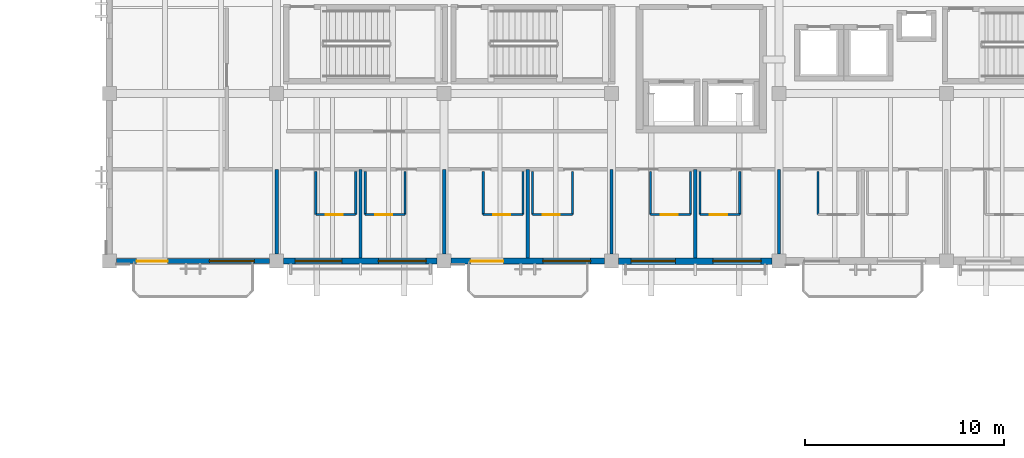
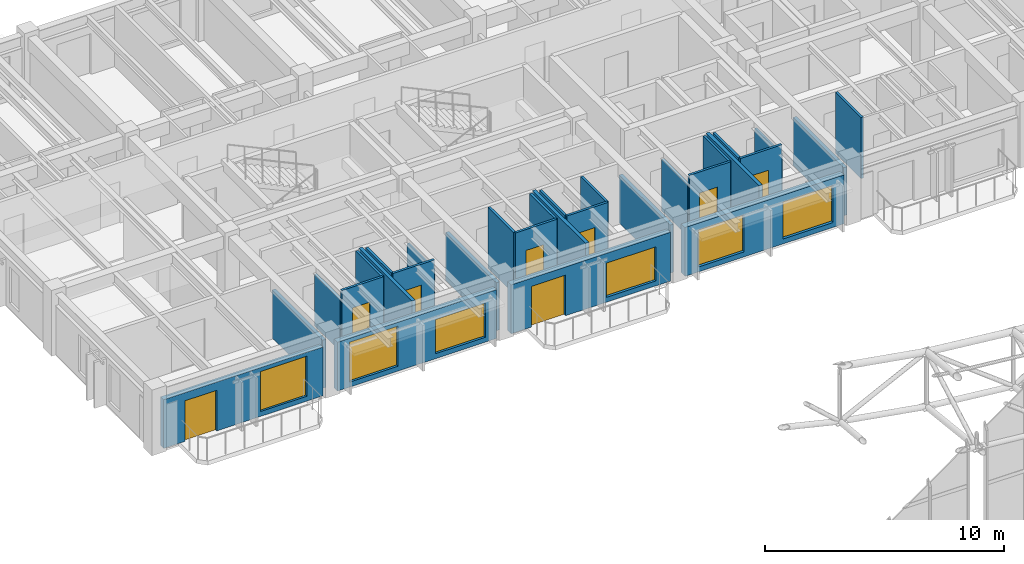
# One storey, part 77 of 93: 30 walls, 8 doors, 6 windows, 14 openings.
"""IFC4 building model written with IfcOpenShell, lengths in metres."""

from ifc_helpers import new_model, si_unit, direction, frame, frame_2d, origin, place, context, subcontext, project, spatial, rectangle, extrude, material, layer, layer_set, type_object, element, fill, save


model = new_model("IFC4")

# Units and contexts
model_context = context("Model", 3, precision=1e-05, world=origin(), true_north=direction((0.0, 1.0)))
body_context = subcontext(model_context, "Body", "Model", "MODEL_VIEW")
ifc_project = project(units=[si_unit("LENGTHUNIT", "METRE"), si_unit("AREAUNIT", "SQUARE_METRE"), si_unit("VOLUMEUNIT", "CUBIC_METRE"), si_unit("PLANEANGLEUNIT", "RADIAN"), si_unit("MASSUNIT", "GRAM", prefix="KILO")], contexts=[model_context])

# Site, building, storey
site_placement = place(None, origin())
site = spatial("IfcSite", under=ifc_project, at=site_placement, CompositionType="ELEMENT")
building_placement = place(site_placement, origin())
building = spatial("IfcBuilding", under=site, at=building_placement, Name="Cumbredor Promenade Congress Hotel", CompositionType="ELEMENT")
storey_placement = place(building_placement, frame((0.0, 0.0, 21.840087890625)))
storey = spatial("IfcBuildingStorey", under=building, at=storey_placement, Name="L06", CompositionType="ELEMENT", Elevation=21.840087890625)

# Wall, opening, door
ifc_material_1 = material(Name="Moisture-resistant gypsum board on steel studs", Category="steel")
ifc_layer_1 = layer(ifc_material_1, 0.114990234375, Name="Moisture-resistant gypsum board on steel studs", Category="steel")
ifc_layer_set_1 = layer_set([ifc_layer_1], Name="Moisture-resistant gypsum board on steel studs")
wall_type_1 = type_object("IfcWallType", Name="WL-BATH-115", PredefinedType="PARTITIONING", material=ifc_layer_set_1)
wall_1_placement = place(storey_placement, frame((10.360107421875, 94.72998046875, 0.0), z_axis=(0.0, 0.0, 1.0), x_axis=(1.0, 0.0, 0.0)))
wall_1 = element("IfcWall", 1, at=wall_1_placement, inside=storey, type_object=wall_type_1, Name="L06 Interior Partition W-L06-BH-0673", PredefinedType="PARTITIONING", context=body_context, shape_type="SweptSolid", body=[
    extrude(rectangle(XDim=2.0, YDim=0.114990234375, at=frame_2d((1.0, 0.0))), origin(), (0.0, 0.0, 1.0), 3.119873046875),
])
opening_1_placement = place(wall_1_placement, frame((0.5, 0.0, 0.0)))
opening_1 = element("IfcOpeningElement", 2, at=opening_1_placement, cuts=wall_1, Name="Opening ID-01", PredefinedType="OPENING", context=body_context, shape_type="SweptSolid", body=[
    extrude(rectangle(XDim=0.860107421875, YDim=2.050048828125, at=frame_2d((0.43017578125, 1.02490234375))), frame((0.0, 0.0673828125, 0.0), z_axis=(0.0, -1.0, 0.0), x_axis=(1.0, 0.0, 0.0)), (0.0, 0.0, 1.0), 0.135009765625),
])
ifc_material_2 = material(Name="Kiln-dried tropical hardwood", Category="wood")
door_type_1 = type_object("IfcDoorType", Name="DR-BATH-860", OperationType="NOTDEFINED", PredefinedType="DOOR", material=ifc_material_2)
door_1_placement = place(opening_1_placement, origin())
door_1 = element("IfcDoor", 3, at=door_1_placement, inside=storey, type_object=door_type_1, Name="L06 Interior Door W-L06-BH-0673-01", OperationType="SINGLE_SWING_RIGHT", OverallHeight=2.050048828125, OverallWidth=0.860107421875, PredefinedType="DOOR", context=body_context, shape_type="SweptSolid", body=[
    extrude(rectangle(XDim=0.860107421875, YDim=2.050048828125, at=frame_2d((0.43017578125, 1.02490234375))), frame((0.0, 0.02490234375, 0.0), z_axis=(0.0, -1.0, 0.0), x_axis=(1.0, 0.0, 0.0)), (0.0, 0.0, 1.0), 0.050048828125),
])
fill(opening_1, door_1)

# Walls
wall_2_placement = place(storey_placement, frame((10.360107421875, 94.72998046875, 0.0), z_axis=(0.0, 0.0, 1.0), x_axis=(0.0, 1.0, 0.0)))
element("IfcWall", 4, at=wall_2_placement, inside=storey, type_object=wall_type_1, Name="L06 Interior Partition W-L06-BV1-0673", PredefinedType="PARTITIONING", context=body_context, shape_type="SweptSolid", body=[
    extrude(rectangle(XDim=2.14990234375, YDim=0.114990234375, at=frame_2d((1.074951171875, 0.0))), origin(), (0.0, 0.0, 1.0), 2.641845703125),
])
wall_3_placement = place(storey_placement, frame((12.360107421875, 94.72998046875, 0.0), z_axis=(0.0, 0.0, 1.0), x_axis=(0.0, 1.0, 0.0)))
element("IfcWall", 5, at=wall_3_placement, inside=storey, type_object=wall_type_1, Name="L06 Interior Partition W-L06-BV2-0673", PredefinedType="PARTITIONING", context=body_context, shape_type="SweptSolid", body=[
    extrude(rectangle(XDim=2.14990234375, YDim=0.114990234375, at=frame_2d((1.074951171875, 0.0))), origin(), (0.0, 0.0, 1.0), 3.119873046875),
])

# Wall, opening, door
wall_4_placement = place(storey_placement, frame((12.840087890625, 94.72998046875, 0.0), z_axis=(0.0, 0.0, 1.0), x_axis=(1.0, 0.0, 0.0)))
wall_4 = element("IfcWall", 6, at=wall_4_placement, inside=storey, type_object=wall_type_1, Name="L06 Interior Partition W-L06-BH-0674", PredefinedType="PARTITIONING", context=body_context, shape_type="SweptSolid", body=[
    extrude(rectangle(XDim=2.0, YDim=0.114990234375, at=frame_2d((1.0, 0.0))), origin(), (0.0, 0.0, 1.0), 3.119873046875),
])
opening_2_placement = place(wall_4_placement, frame((0.5, 0.0, 0.0)))
opening_2 = element("IfcOpeningElement", 7, at=opening_2_placement, cuts=wall_4, Name="Opening ID-01", PredefinedType="OPENING", context=body_context, shape_type="SweptSolid", body=[
    extrude(rectangle(XDim=0.860107421875, YDim=2.050048828125, at=frame_2d((0.43017578125, 1.02490234375))), frame((0.0, 0.0673828125, 0.0), z_axis=(0.0, -1.0, 0.0), x_axis=(1.0, 0.0, 0.0)), (0.0, 0.0, 1.0), 0.135009765625),
])
door_2_placement = place(opening_2_placement, origin())
door_2 = element("IfcDoor", 8, at=door_2_placement, inside=storey, type_object=door_type_1, Name="L06 Interior Door W-L06-BH-0674-01", OperationType="SINGLE_SWING_LEFT", OverallHeight=2.050048828125, OverallWidth=0.860107421875, PredefinedType="DOOR", context=body_context, shape_type="SweptSolid", body=[
    extrude(rectangle(XDim=0.860107421875, YDim=2.050048828125, at=frame_2d((0.43017578125, 1.02490234375))), frame((0.0, 0.02490234375, 0.0), z_axis=(0.0, -1.0, 0.0), x_axis=(1.0, 0.0, 0.0)), (0.0, 0.0, 1.0), 0.050048828125),
])
fill(opening_2, door_2)

# Walls
wall_5_placement = place(storey_placement, frame((12.840087890625, 94.72998046875, 0.0), z_axis=(0.0, 0.0, 1.0), x_axis=(0.0, 1.0, 0.0)))
element("IfcWall", 9, at=wall_5_placement, inside=storey, type_object=wall_type_1, Name="L06 Interior Partition W-L06-BV1-0674", PredefinedType="PARTITIONING", context=body_context, shape_type="SweptSolid", body=[
    extrude(rectangle(XDim=2.14990234375, YDim=0.114990234375, at=frame_2d((1.074951171875, 0.0))), origin(), (0.0, 0.0, 1.0), 3.119873046875),
])
wall_6_placement = place(storey_placement, frame((14.840087890625, 94.72998046875, 0.0), z_axis=(0.0, 0.0, 1.0), x_axis=(0.0, 1.0, 0.0)))
element("IfcWall", 10, at=wall_6_placement, inside=storey, type_object=wall_type_1, Name="L06 Interior Partition W-L06-BV2-0674", PredefinedType="PARTITIONING", context=body_context, shape_type="SweptSolid", body=[
    extrude(rectangle(XDim=2.14990234375, YDim=0.114990234375, at=frame_2d((1.074951171875, 0.0))), origin(), (0.0, 0.0, 1.0), 2.641845703125),
])

# Wall, opening, door
wall_7_placement = place(storey_placement, frame((18.760009765625, 94.72998046875, 0.0), z_axis=(0.0, 0.0, 1.0), x_axis=(1.0, 0.0, 0.0)))
wall_7 = element("IfcWall", 11, at=wall_7_placement, inside=storey, type_object=wall_type_1, Name="L06 Interior Partition W-L06-BH-0675", PredefinedType="PARTITIONING", context=body_context, shape_type="SweptSolid", body=[
    extrude(rectangle(XDim=2.0, YDim=0.114990234375, at=frame_2d((1.0, 0.0))), origin(), (0.0, 0.0, 1.0), 3.119873046875),
])
opening_3_placement = place(wall_7_placement, frame((0.5, 0.0, 0.0)))
opening_3 = element("IfcOpeningElement", 12, at=opening_3_placement, cuts=wall_7, Name="Opening ID-01", PredefinedType="OPENING", context=body_context, shape_type="SweptSolid", body=[
    extrude(rectangle(XDim=0.860107421875, YDim=2.050048828125, at=frame_2d((0.43017578125, 1.02490234375))), frame((0.0, 0.0673828125, 0.0), z_axis=(0.0, -1.0, 0.0), x_axis=(1.0, 0.0, 0.0)), (0.0, 0.0, 1.0), 0.135009765625),
])
door_3_placement = place(opening_3_placement, origin())
door_3 = element("IfcDoor", 13, at=door_3_placement, inside=storey, type_object=door_type_1, Name="L06 Interior Door W-L06-BH-0675-01", OperationType="SINGLE_SWING_RIGHT", OverallHeight=2.050048828125, OverallWidth=0.860107421875, PredefinedType="DOOR", context=body_context, shape_type="SweptSolid", body=[
    extrude(rectangle(XDim=0.860107421875, YDim=2.050048828125, at=frame_2d((0.43017578125, 1.02490234375))), frame((0.0, 0.02490234375, 0.0), z_axis=(0.0, -1.0, 0.0), x_axis=(1.0, 0.0, 0.0)), (0.0, 0.0, 1.0), 0.050048828125),
])
fill(opening_3, door_3)

# Walls
for number, where, z_axis, x_axis, name in (
    (14, (18.760009765625, 94.72998046875, 0.0), (0.0, 0.0, 1.0), (0.0, 1.0, 0.0), "L06 Interior Partition W-L06-BV1-0675"),
    (15, (20.760009765625, 94.72998046875, 0.0), (0.0, 0.0, 1.0), (0.0, 1.0, 0.0), "L06 Interior Partition W-L06-BV2-0675"),
):
    element("IfcWall", number, at=place(storey_placement, frame(where, z_axis=z_axis, x_axis=x_axis)), inside=storey, type_object=wall_type_1, Name=name, PredefinedType="PARTITIONING", context=body_context, shape_type="SweptSolid", body=[
        extrude(rectangle(XDim=2.14990234375, YDim=0.114990234375, at=frame_2d((1.074951171875, 0.0))), origin(), (0.0, 0.0, 1.0), 3.119873046875),
    ])

# Wall, opening, door
wall_8_placement = place(storey_placement, frame((21.239990234375, 94.72998046875, 0.0), z_axis=(0.0, 0.0, 1.0), x_axis=(1.0, 0.0, 0.0)))
wall_8 = element("IfcWall", 16, at=wall_8_placement, inside=storey, type_object=wall_type_1, Name="L06 Interior Partition W-L06-BH-0676", PredefinedType="PARTITIONING", context=body_context, shape_type="SweptSolid", body=[
    extrude(rectangle(XDim=2.0, YDim=0.114990234375, at=frame_2d((1.0, 0.0))), origin(), (0.0, 0.0, 1.0), 3.119873046875),
])
opening_4_placement = place(wall_8_placement, frame((0.5, 0.0, 0.0)))
opening_4 = element("IfcOpeningElement", 17, at=opening_4_placement, cuts=wall_8, Name="Opening ID-01", PredefinedType="OPENING", context=body_context, shape_type="SweptSolid", body=[
    extrude(rectangle(XDim=0.860107421875, YDim=2.050048828125, at=frame_2d((0.43017578125, 1.02490234375))), frame((0.0, 0.0673828125, 0.0), z_axis=(0.0, -1.0, 0.0), x_axis=(1.0, 0.0, 0.0)), (0.0, 0.0, 1.0), 0.135009765625),
])
door_4_placement = place(opening_4_placement, origin())
door_4 = element("IfcDoor", 18, at=door_4_placement, inside=storey, type_object=door_type_1, Name="L06 Interior Door W-L06-BH-0676-01", OperationType="SINGLE_SWING_LEFT", OverallHeight=2.050048828125, OverallWidth=0.860107421875, PredefinedType="DOOR", context=body_context, shape_type="SweptSolid", body=[
    extrude(rectangle(XDim=0.860107421875, YDim=2.050048828125, at=frame_2d((0.43017578125, 1.02490234375))), frame((0.0, 0.02490234375, 0.0), z_axis=(0.0, -1.0, 0.0), x_axis=(1.0, 0.0, 0.0)), (0.0, 0.0, 1.0), 0.050048828125),
])
fill(opening_4, door_4)

# Walls
for number, where, z_axis, x_axis, name in (
    (19, (21.239990234375, 94.72998046875, 0.0), (0.0, 0.0, 1.0), (0.0, 1.0, 0.0), "L06 Interior Partition W-L06-BV1-0676"),
    (20, (23.239990234375, 94.72998046875, 0.0), (0.0, 0.0, 1.0), (0.0, 1.0, 0.0), "L06 Interior Partition W-L06-BV2-0676"),
):
    element("IfcWall", number, at=place(storey_placement, frame(where, z_axis=z_axis, x_axis=x_axis)), inside=storey, type_object=wall_type_1, Name=name, PredefinedType="PARTITIONING", context=body_context, shape_type="SweptSolid", body=[
        extrude(rectangle(XDim=2.14990234375, YDim=0.114990234375, at=frame_2d((1.074951171875, 0.0))), origin(), (0.0, 0.0, 1.0), 3.119873046875),
    ])

# Wall, opening, door
wall_9_placement = place(storey_placement, frame((27.159912109375, 94.72998046875, 0.0), z_axis=(0.0, 0.0, 1.0), x_axis=(1.0, 0.0, 0.0)))
wall_9 = element("IfcWall", 21, at=wall_9_placement, inside=storey, type_object=wall_type_1, Name="L06 Interior Partition W-L06-BH-0677", PredefinedType="PARTITIONING", context=body_context, shape_type="SweptSolid", body=[
    extrude(rectangle(XDim=2.0, YDim=0.114990234375, at=frame_2d((1.0, 0.0))), origin(), (0.0, 0.0, 1.0), 3.119873046875),
])
opening_5_placement = place(wall_9_placement, frame((0.5, 0.0, 0.0)))
opening_5 = element("IfcOpeningElement", 22, at=opening_5_placement, cuts=wall_9, Name="Opening ID-01", PredefinedType="OPENING", context=body_context, shape_type="SweptSolid", body=[
    extrude(rectangle(XDim=0.860107421875, YDim=2.050048828125, at=frame_2d((0.43017578125, 1.02490234375))), frame((0.0, 0.0673828125, 0.0), z_axis=(0.0, -1.0, 0.0), x_axis=(1.0, 0.0, 0.0)), (0.0, 0.0, 1.0), 0.135009765625),
])
door_5_placement = place(opening_5_placement, origin())
door_5 = element("IfcDoor", 23, at=door_5_placement, inside=storey, type_object=door_type_1, Name="L06 Interior Door W-L06-BH-0677-01", OperationType="SINGLE_SWING_RIGHT", OverallHeight=2.050048828125, OverallWidth=0.860107421875, PredefinedType="DOOR", context=body_context, shape_type="SweptSolid", body=[
    extrude(rectangle(XDim=0.860107421875, YDim=2.050048828125, at=frame_2d((0.43017578125, 1.02490234375))), frame((0.0, 0.02490234375, 0.0), z_axis=(0.0, -1.0, 0.0), x_axis=(1.0, 0.0, 0.0)), (0.0, 0.0, 1.0), 0.050048828125),
])
fill(opening_5, door_5)

# Walls
wall_10_placement = place(storey_placement, frame((27.159912109375, 94.72998046875, 0.0), z_axis=(0.0, 0.0, 1.0), x_axis=(0.0, 1.0, 0.0)))
element("IfcWall", 24, at=wall_10_placement, inside=storey, type_object=wall_type_1, Name="L06 Interior Partition W-L06-BV1-0677", PredefinedType="PARTITIONING", context=body_context, shape_type="SweptSolid", body=[
    extrude(rectangle(XDim=2.14990234375, YDim=0.114990234375, at=frame_2d((1.074951171875, 0.0))), origin(), (0.0, 0.0, 1.0), 2.641845703125),
])
wall_11_placement = place(storey_placement, frame((29.159912109375, 94.72998046875, 0.0), z_axis=(0.0, 0.0, 1.0), x_axis=(0.0, 1.0, 0.0)))
element("IfcWall", 25, at=wall_11_placement, inside=storey, type_object=wall_type_1, Name="L06 Interior Partition W-L06-BV2-0677", PredefinedType="PARTITIONING", context=body_context, shape_type="SweptSolid", body=[
    extrude(rectangle(XDim=2.14990234375, YDim=0.114990234375, at=frame_2d((1.074951171875, 0.0))), origin(), (0.0, 0.0, 1.0), 3.119873046875),
])

# Wall, opening, door
wall_12_placement = place(storey_placement, frame((29.639892578125, 94.72998046875, 0.0), z_axis=(0.0, 0.0, 1.0), x_axis=(1.0, 0.0, 0.0)))
wall_12 = element("IfcWall", 26, at=wall_12_placement, inside=storey, type_object=wall_type_1, Name="L06 Interior Partition W-L06-BH-0678", PredefinedType="PARTITIONING", context=body_context, shape_type="SweptSolid", body=[
    extrude(rectangle(XDim=2.0, YDim=0.114990234375, at=frame_2d((1.0, 0.0))), origin(), (0.0, 0.0, 1.0), 3.119873046875),
])
opening_6_placement = place(wall_12_placement, frame((0.5, 0.0, 0.0)))
opening_6 = element("IfcOpeningElement", 27, at=opening_6_placement, cuts=wall_12, Name="Opening ID-01", PredefinedType="OPENING", context=body_context, shape_type="SweptSolid", body=[
    extrude(rectangle(XDim=0.860107421875, YDim=2.050048828125, at=frame_2d((0.43017578125, 1.02490234375))), frame((0.0, 0.0673828125, 0.0), z_axis=(0.0, -1.0, 0.0), x_axis=(1.0, 0.0, 0.0)), (0.0, 0.0, 1.0), 0.135009765625),
])
door_6_placement = place(opening_6_placement, origin())
door_6 = element("IfcDoor", 28, at=door_6_placement, inside=storey, type_object=door_type_1, Name="L06 Interior Door W-L06-BH-0678-01", OperationType="SINGLE_SWING_LEFT", OverallHeight=2.050048828125, OverallWidth=0.860107421875, PredefinedType="DOOR", context=body_context, shape_type="SweptSolid", body=[
    extrude(rectangle(XDim=0.860107421875, YDim=2.050048828125, at=frame_2d((0.43017578125, 1.02490234375))), frame((0.0, 0.02490234375, 0.0), z_axis=(0.0, -1.0, 0.0), x_axis=(1.0, 0.0, 0.0)), (0.0, 0.0, 1.0), 0.050048828125),
])
fill(opening_6, door_6)

# Walls
wall_13_placement = place(storey_placement, frame((29.639892578125, 94.72998046875, 0.0), z_axis=(0.0, 0.0, 1.0), x_axis=(0.0, 1.0, 0.0)))
element("IfcWall", 29, at=wall_13_placement, inside=storey, type_object=wall_type_1, Name="L06 Interior Partition W-L06-BV1-0678", PredefinedType="PARTITIONING", context=body_context, shape_type="SweptSolid", body=[
    extrude(rectangle(XDim=2.14990234375, YDim=0.114990234375, at=frame_2d((1.074951171875, 0.0))), origin(), (0.0, 0.0, 1.0), 3.119873046875),
])
wall_14_placement = place(storey_placement, frame((31.639892578125, 94.72998046875, 0.0), z_axis=(0.0, 0.0, 1.0), x_axis=(0.0, 1.0, 0.0)))
element("IfcWall", 30, at=wall_14_placement, inside=storey, type_object=wall_type_1, Name="L06 Interior Partition W-L06-BV2-0678", PredefinedType="PARTITIONING", context=body_context, shape_type="SweptSolid", body=[
    extrude(rectangle(XDim=2.14990234375, YDim=0.114990234375, at=frame_2d((1.074951171875, 0.0))), origin(), (0.0, 0.0, 1.0), 2.641845703125),
])
wall_15_placement = place(storey_placement, frame((35.56005859375, 94.72998046875, 0.0), z_axis=(0.0, 0.0, 1.0), x_axis=(0.0, 1.0, 0.0)))
element("IfcWall", 31, at=wall_15_placement, inside=storey, type_object=wall_type_1, Name="L06 Interior Partition W-L06-BV1-0679", PredefinedType="PARTITIONING", context=body_context, shape_type="SweptSolid", body=[
    extrude(rectangle(XDim=2.14990234375, YDim=0.114990234375, at=frame_2d((1.074951171875, 0.0))), origin(), (0.0, 0.0, 1.0), 3.119873046875),
])

# Wall, openings, door, window
ifc_material_3 = material(Name="Concrete C40/50", Category="concrete")
ifc_layer_2 = layer(ifc_material_3, 0.260009765625, Name="Concrete C40/50", Category="concrete")
ifc_layer_set_2 = layer_set([ifc_layer_2], Name="Concrete C40/50")
wall_type_2 = type_object("IfcWallType", Name="WL-EXT-260", PredefinedType="SOLIDWALL", material=ifc_layer_set_2)
wall_16_placement = place(storey_placement, frame((0.35107421875, 92.39990234375, 0.0), z_axis=(0.0, 0.0, 1.0), x_axis=(1.0, 0.0, 0.0)))
wall_16 = element("IfcWall", 32, at=wall_16_placement, inside=storey, type_object=wall_type_2, Name="L06 Stepped Congress Hotel Wing South Envelope Wall 1", PredefinedType="SOLIDWALL", context=body_context, shape_type="SweptSolid", body=[
    extrude(rectangle(XDim=7.697998046875, YDim=0.260009765625, at=frame_2d((3.84912109375, 0.0))), origin(), (0.0, 0.0, 1.0), 2.493896484375),
])
opening_7_placement = place(wall_16_placement, frame((1.02392578125, 0.0, 0.0)))
opening_7 = element("IfcOpeningElement", 33, at=opening_7_placement, cuts=wall_16, Name="Opening TD-01", PredefinedType="OPENING", context=body_context, shape_type="SweptSolid", body=[
    extrude(rectangle(XDim=1.550048828125, YDim=2.080078125, at=frame_2d((0.77490234375, 1.0400390625))), frame((0.0, 0.14013671875, 0.0), z_axis=(0.0, -1.0, 0.0), x_axis=(1.0, 0.0, 0.0)), (0.0, 0.0, 1.0), 0.280029296875),
])
opening_8_placement = place(wall_16_placement, frame((4.674072265625, 0.0, 0.25)))
opening_8 = element("IfcOpeningElement", 34, at=opening_8_placement, cuts=wall_16, Name="Opening WN-13", PredefinedType="OPENING", context=body_context, shape_type="SweptSolid", body=[
    extrude(rectangle(XDim=2.25, YDim=2.050048828125, at=frame_2d((1.125, 1.02490234375))), frame((0.0, 0.14013671875, 0.0), z_axis=(0.0, -1.0, 0.0), x_axis=(1.0, 0.0, 0.0)), (0.0, 0.0, 1.0), 0.280029296875),
])
ifc_material_4 = material(Name="Thermally broken anodized aluminium and laminated safety glass", Category="aluminium")
door_type_2 = type_object("IfcDoorType", Name="EXT-DR-TER-1550x2080", OperationType="DOUBLE_DOOR_SINGLE_SWING", PredefinedType="DOOR", material=ifc_material_4)
door_7_placement = place(opening_7_placement, frame((1.550048828125, 0.0, 0.0), z_axis=(0.0, 0.0, 1.0), x_axis=(-1.0, 0.0, 0.0)))
door_7 = element("IfcDoor", 35, at=door_7_placement, inside=storey, type_object=door_type_2, Name="L06 Guestroom Veranda Balcony Door 066", OperationType="DOUBLE_DOOR_SINGLE_SWING", OverallHeight=2.080078125, OverallWidth=1.550048828125, PredefinedType="DOOR", context=body_context, shape_type="SweptSolid", body=[
    extrude(rectangle(XDim=1.550048828125, YDim=2.080078125, at=frame_2d((0.77490234375, 1.0400390625))), frame((0.0, 0.02490234375, 0.0), z_axis=(0.0, -1.0, 0.0), x_axis=(1.0, 0.0, 0.0)), (0.0, 0.0, 1.0), 0.050048828125),
])
fill(opening_7, door_7)
ifc_material_5 = material(Name="Thermally broken anodized aluminium and low-E glass", Category="aluminium")
window_type_1 = type_object("IfcWindowType", Name="Hospitality Floor-to-Ceiling Window WN-13 2250x2050", PartitioningType="DOUBLE_PANEL_VERTICAL", PredefinedType="WINDOW", material=ifc_material_5)
window_1_placement = place(opening_8_placement, origin())
window_1 = element("IfcWindow", 36, at=window_1_placement, inside=storey, type_object=window_type_1, Name="L06 Veranda Companion Floor-to-Ceiling Window 0583", OverallHeight=2.050048828125, OverallWidth=2.25, PartitioningType="DOUBLE_PANEL_VERTICAL", PredefinedType="WINDOW", context=body_context, shape_type="SweptSolid", body=[
    extrude(rectangle(XDim=2.25, YDim=2.050048828125, at=frame_2d((1.125, 1.02490234375))), frame((0.0, 0.030029296875, 0.0), z_axis=(0.0, -1.0, 0.0), x_axis=(1.0, 0.0, 0.0)), (0.0, 0.0, 1.0), 0.06005859375),
])
fill(opening_8, window_1)

# Wall, openings, windows
ifc_layer_3 = layer(ifc_material_3, 0.280029296875, Name="Concrete C40/50", Category="concrete")
ifc_layer_set_3 = layer_set([ifc_layer_3], Name="Concrete C40/50")
wall_type_3 = type_object("IfcWallType", Name="WL-EXT-280", PredefinedType="SOLIDWALL", material=ifc_layer_set_3)
wall_17_placement = place(storey_placement, frame((8.7509765625, 92.39990234375, 0.0), z_axis=(0.0, 0.0, 1.0), x_axis=(1.0, 0.0, 0.0)))
wall_17 = element("IfcWall", 37, at=wall_17_placement, inside=storey, type_object=wall_type_3, Name="L06 Stepped Congress Hotel Wing South Envelope Wall 2", PredefinedType="SOLIDWALL", context=body_context, shape_type="SweptSolid", body=[
    extrude(rectangle(XDim=7.697998046875, YDim=0.280029296875, at=frame_2d((3.84912109375, 0.0))), origin(), (0.0, 0.0, 1.0), 2.493896484375),
])
opening_9_placement = place(wall_17_placement, frame((0.573974609375, 0.0, 0.25)))
opening_9 = element("IfcOpeningElement", 38, at=opening_9_placement, cuts=wall_17, Name="Opening WN-14", PredefinedType="OPENING", context=body_context, shape_type="SweptSolid", body=[
    extrude(rectangle(XDim=2.35009765625, YDim=2.050048828125, at=frame_2d((1.175048828125, 1.02490234375))), frame((0.0, 0.14990234375, 0.0), z_axis=(0.0, -1.0, 0.0), x_axis=(1.0, 0.0, 0.0)), (0.0, 0.0, 1.0), 0.300048828125),
])
opening_10_placement = place(wall_17_placement, frame((4.7490234375, 0.0, 0.25)))
opening_10 = element("IfcOpeningElement", 39, at=opening_10_placement, cuts=wall_17, Name="Opening WN-26", PredefinedType="OPENING", context=body_context, shape_type="SweptSolid", body=[
    extrude(rectangle(XDim=2.39990234375, YDim=1.75, at=frame_2d((1.199951171875, 0.875))), frame((0.0, 0.14990234375, 0.0), z_axis=(0.0, -1.0, 0.0), x_axis=(1.0, 0.0, 0.0)), (0.0, 0.0, 1.0), 0.300048828125),
])
window_type_2 = type_object("IfcWindowType", Name="Hospitality Floor-to-Ceiling Window WN-14 2350x2050", PartitioningType="DOUBLE_PANEL_VERTICAL", PredefinedType="WINDOW", material=ifc_material_5)
window_2_placement = place(opening_9_placement, origin())
window_2 = element("IfcWindow", 40, at=window_2_placement, inside=storey, type_object=window_type_2, Name="L06 Wide Hospitality Window 0584", OverallHeight=2.050048828125, OverallWidth=2.35009765625, PartitioningType="DOUBLE_PANEL_VERTICAL", PredefinedType="WINDOW", context=body_context, shape_type="SweptSolid", body=[
    extrude(rectangle(XDim=2.35009765625, YDim=2.050048828125, at=frame_2d((1.175048828125, 1.02490234375))), frame((0.0, 0.030029296875, 0.0), z_axis=(0.0, -1.0, 0.0), x_axis=(1.0, 0.0, 0.0)), (0.0, 0.0, 1.0), 0.06005859375),
])
fill(opening_9, window_2)
window_type_3 = type_object("IfcWindowType", Name="Hospitality Floor-to-Ceiling Window WN-26 2400x1750", PartitioningType="DOUBLE_PANEL_VERTICAL", PredefinedType="WINDOW", material=ifc_material_5)
window_3_placement = place(opening_10_placement, origin())
window_3 = element("IfcWindow", 41, at=window_3_placement, inside=storey, type_object=window_type_3, Name="L06 Wide Hospitality Window 0585", OverallHeight=1.75, OverallWidth=2.39990234375, PartitioningType="DOUBLE_PANEL_VERTICAL", PredefinedType="WINDOW", context=body_context, shape_type="SweptSolid", body=[
    extrude(rectangle(XDim=2.39990234375, YDim=1.75, at=frame_2d((1.199951171875, 0.875))), frame((0.0, 0.030029296875, 0.0), z_axis=(0.0, -1.0, 0.0), x_axis=(1.0, 0.0, 0.0)), (0.0, 0.0, 1.0), 0.06005859375),
])
fill(opening_10, window_3)

# Wall, openings, door, window
ifc_layer_4 = layer(ifc_material_3, 0.300048828125, Name="Concrete C40/50", Category="concrete")
ifc_layer_set_4 = layer_set([ifc_layer_4], Name="Concrete C40/50")
wall_type_4 = type_object("IfcWallType", Name="WL-EXT-300", PredefinedType="SOLIDWALL", material=ifc_layer_set_4)
wall_18_placement = place(storey_placement, frame((17.15087890625, 92.39990234375, 0.0), z_axis=(0.0, 0.0, 1.0), x_axis=(1.0, 0.0, 0.0)))
wall_18 = element("IfcWall", 42, at=wall_18_placement, inside=storey, type_object=wall_type_4, Name="L06 Stepped Congress Hotel Wing South Envelope Wall 3", PredefinedType="SOLIDWALL", context=body_context, shape_type="SweptSolid", body=[
    extrude(rectangle(XDim=7.6982421875, YDim=0.300048828125, at=frame_2d((3.84912109375, 0.0))), origin(), (0.0, 0.0, 1.0), 2.493896484375),
])
opening_11_placement = place(wall_18_placement, frame((0.97412109375, 0.0, 0.0)))
opening_11 = element("IfcOpeningElement", 43, at=opening_11_placement, cuts=wall_18, Name="Opening TD-02", PredefinedType="OPENING", context=body_context, shape_type="SweptSolid", body=[
    extrude(rectangle(XDim=1.64990234375, YDim=2.080078125, at=frame_2d((0.824951171875, 1.0400390625))), frame((0.0, 0.16015625, 0.0), z_axis=(0.0, -1.0, 0.0), x_axis=(1.0, 0.0, 0.0)), (0.0, 0.0, 1.0), 0.320068359375),
])
opening_12_placement = place(wall_18_placement, frame((4.59912109375, 0.0, 0.25)))
opening_12 = element("IfcOpeningElement", 44, at=opening_12_placement, cuts=wall_18, Name="Opening WN-26", PredefinedType="OPENING", context=body_context, shape_type="SweptSolid", body=[
    extrude(rectangle(XDim=2.39990234375, YDim=1.75, at=frame_2d((1.199951171875, 0.875))), frame((0.0, 0.16015625, 0.0), z_axis=(0.0, -1.0, 0.0), x_axis=(1.0, 0.0, 0.0)), (0.0, 0.0, 1.0), 0.320068359375),
])
door_type_3 = type_object("IfcDoorType", Name="EXT-DR-TER-1650x2080", OperationType="DOUBLE_DOOR_SINGLE_SWING", PredefinedType="DOOR", material=ifc_material_4)
door_8_placement = place(opening_11_placement, frame((1.64990234375, 0.0, 0.0), z_axis=(0.0, 0.0, 1.0), x_axis=(-1.0, 0.0, 0.0)))
door_8 = element("IfcDoor", 45, at=door_8_placement, inside=storey, type_object=door_type_3, Name="L06 Guestroom Veranda Balcony Door 067", OperationType="DOUBLE_DOOR_SINGLE_SWING", OverallHeight=2.080078125, OverallWidth=1.64990234375, PredefinedType="DOOR", context=body_context, shape_type="SweptSolid", body=[
    extrude(rectangle(XDim=1.64990234375, YDim=2.080078125, at=frame_2d((0.824951171875, 1.0400390625))), frame((0.0, 0.02490234375, 0.0), z_axis=(0.0, -1.0, 0.0), x_axis=(1.0, 0.0, 0.0)), (0.0, 0.0, 1.0), 0.050048828125),
])
fill(opening_11, door_8)
window_4_placement = place(opening_12_placement, origin())
window_4 = element("IfcWindow", 46, at=window_4_placement, inside=storey, type_object=window_type_3, Name="L06 Veranda Companion Floor-to-Ceiling Window 0586", OverallHeight=1.75, OverallWidth=2.39990234375, PartitioningType="DOUBLE_PANEL_VERTICAL", PredefinedType="WINDOW", context=body_context, shape_type="SweptSolid", body=[
    extrude(rectangle(XDim=2.39990234375, YDim=1.75, at=frame_2d((1.199951171875, 0.875))), frame((0.0, 0.030029296875, 0.0), z_axis=(0.0, -1.0, 0.0), x_axis=(1.0, 0.0, 0.0)), (0.0, 0.0, 1.0), 0.06005859375),
])
fill(opening_12, window_4)

# Wall, openings, windows
ifc_layer_5 = layer(ifc_material_3, 0.324951171875, Name="Concrete C40/50", Category="concrete")
ifc_layer_set_5 = layer_set([ifc_layer_5], Name="Concrete C40/50")
wall_type_5 = type_object("IfcWallType", Name="WL-EXT-325", PredefinedType="SOLIDWALL", material=ifc_layer_set_5)
wall_19_placement = place(storey_placement, frame((25.551025390625, 92.39990234375, 0.0), z_axis=(0.0, 0.0, 1.0), x_axis=(1.0, 0.0, 0.0)))
wall_19 = element("IfcWall", 47, at=wall_19_placement, inside=storey, type_object=wall_type_5, Name="L06 Stepped Congress Hotel Wing South Envelope Wall 4", PredefinedType="SOLIDWALL", context=body_context, shape_type="SweptSolid", body=[
    extrude(rectangle(XDim=7.697998046875, YDim=0.324951171875, at=frame_2d((3.84912109375, 0.0))), origin(), (0.0, 0.0, 1.0), 2.493896484375),
])
opening_13_placement = place(wall_19_placement, frame((0.638916015625, 0.0, 0.25)))
opening_13 = element("IfcOpeningElement", 48, at=opening_13_placement, cuts=wall_19, Name="Opening WN-35", PredefinedType="OPENING", context=body_context, shape_type="SweptSolid", body=[
    extrude(rectangle(XDim=2.219970703125, YDim=1.89990234375, at=frame_2d((1.10986328125, 0.949951171875))), frame((0.0, 0.17236328125, 0.0), z_axis=(0.0, -1.0, 0.0), x_axis=(1.0, 0.0, 0.0)), (0.0, 0.0, 1.0), 0.344970703125),
])
opening_14_placement = place(wall_19_placement, frame((4.739013671875, 0.0, 0.25)))
opening_14 = element("IfcOpeningElement", 49, at=opening_14_placement, cuts=wall_19, Name="Opening WN-37", PredefinedType="OPENING", context=body_context, shape_type="SweptSolid", body=[
    extrude(rectangle(XDim=2.419921875, YDim=1.89990234375, at=frame_2d((1.2099609375, 0.949951171875))), frame((0.0, 0.17236328125, 0.0), z_axis=(0.0, -1.0, 0.0), x_axis=(1.0, 0.0, 0.0)), (0.0, 0.0, 1.0), 0.344970703125),
])
window_type_4 = type_object("IfcWindowType", Name="Hospitality Floor-to-Ceiling Window WN-35 2220x1900", PartitioningType="DOUBLE_PANEL_VERTICAL", PredefinedType="WINDOW", material=ifc_material_5)
window_5_placement = place(opening_13_placement, origin())
window_5 = element("IfcWindow", 50, at=window_5_placement, inside=storey, type_object=window_type_4, Name="L06 Wide Hospitality Window 0587", OverallHeight=1.89990234375, OverallWidth=2.219970703125, PartitioningType="DOUBLE_PANEL_VERTICAL", PredefinedType="WINDOW", context=body_context, shape_type="SweptSolid", body=[
    extrude(rectangle(XDim=2.219970703125, YDim=1.89990234375, at=frame_2d((1.10986328125, 0.949951171875))), frame((0.0, 0.030029296875, 0.0), z_axis=(0.0, -1.0, 0.0), x_axis=(1.0, 0.0, 0.0)), (0.0, 0.0, 1.0), 0.06005859375),
])
fill(opening_13, window_5)
window_type_5 = type_object("IfcWindowType", Name="Hospitality Floor-to-Ceiling Window WN-37 2420x1900", PartitioningType="DOUBLE_PANEL_VERTICAL", PredefinedType="WINDOW", material=ifc_material_5)
window_6_placement = place(opening_14_placement, origin())
window_6 = element("IfcWindow", 51, at=window_6_placement, inside=storey, type_object=window_type_5, Name="L06 Wide Hospitality Window 0588", OverallHeight=1.89990234375, OverallWidth=2.419921875, PartitioningType="DOUBLE_PANEL_VERTICAL", PredefinedType="WINDOW", context=body_context, shape_type="SweptSolid", body=[
    extrude(rectangle(XDim=2.419921875, YDim=1.89990234375, at=frame_2d((1.2099609375, 0.949951171875))), frame((0.0, 0.030029296875, 0.0), z_axis=(0.0, -1.0, 0.0), x_axis=(1.0, 0.0, 0.0)), (0.0, 0.0, 1.0), 0.06005859375),
])
fill(opening_14, window_6)

# Walls
ifc_material_6 = material(Name="Fire-rated acoustic double-stud partition")
ifc_layer_6 = layer(ifc_material_6, 0.1650390625, Name="Fire-rated acoustic double-stud partition")
ifc_layer_set_6 = layer_set([ifc_layer_6], Name="Fire-rated acoustic double-stud partition")
wall_type_6 = type_object("IfcWallType", Name="WL-UNIT-165", PredefinedType="PARTITIONING", material=ifc_layer_set_6)
wall_20_placement = place(storey_placement, frame((12.60009765625, 92.5400390625, 0.0), z_axis=(0.0, 0.0, 1.0), x_axis=(0.0, 1.0, 0.0)))
element("IfcWall", 52, at=wall_20_placement, inside=storey, type_object=wall_type_6, Name="L06 Interior Partition W-L06-SC-DIV-1-M", PredefinedType="PARTITIONING", context=body_context, shape_type="SweptSolid", body=[
    extrude(rectangle(XDim=4.4599609375, YDim=0.1650390625, at=frame_2d((2.22998046875, 0.0))), origin(), (0.0, 0.0, 1.0), 3.119873046875),
])
wall_21_placement = place(storey_placement, frame((8.39990234375, 92.75, 0.0), z_axis=(0.0, 0.0, 1.0), x_axis=(0.0, 1.0, 0.0)))
element("IfcWall", 53, at=wall_21_placement, inside=storey, type_object=wall_type_6, Name="L06 Interior Partition W-L06-SC-DIV-1-G", PredefinedType="PARTITIONING", context=body_context, shape_type="SweptSolid", body=[
    extrude(rectangle(XDim=4.25, YDim=0.1650390625, at=frame_2d((2.125, 0.0))), origin(), (0.0, 0.0, 1.0), 2.454833984375),
])
wall_22_placement = place(storey_placement, frame((21.0, 92.550048828125, 0.0), z_axis=(0.0, 0.0, 1.0), x_axis=(0.0, 1.0, 0.0)))
element("IfcWall", 54, at=wall_22_placement, inside=storey, type_object=wall_type_6, Name="L06 Interior Partition W-L06-SC-DIV-2-M", PredefinedType="PARTITIONING", context=body_context, shape_type="SweptSolid", body=[
    extrude(rectangle(XDim=4.449951171875, YDim=0.1650390625, at=frame_2d((2.22509765625, 0.0))), origin(), (0.0, 0.0, 1.0), 3.119873046875),
])
wall_23_placement = place(storey_placement, frame((16.800048828125, 92.75, 0.0), z_axis=(0.0, 0.0, 1.0), x_axis=(0.0, 1.0, 0.0)))
element("IfcWall", 55, at=wall_23_placement, inside=storey, type_object=wall_type_6, Name="L06 Interior Partition W-L06-SC-DIV-2-G", PredefinedType="PARTITIONING", context=body_context, shape_type="SweptSolid", body=[
    extrude(rectangle(XDim=4.25, YDim=0.1650390625, at=frame_2d((2.125, 0.0))), origin(), (0.0, 0.0, 1.0), 2.454833984375),
])
wall_24_placement = place(storey_placement, frame((29.39990234375, 92.5625, 0.0), z_axis=(0.0, 0.0, 1.0), x_axis=(0.0, 1.0, 0.0)))
element("IfcWall", 56, at=wall_24_placement, inside=storey, type_object=wall_type_6, Name="L06 Interior Partition W-L06-SC-DIV-3-M", PredefinedType="PARTITIONING", context=body_context, shape_type="SweptSolid", body=[
    extrude(rectangle(XDim=4.4375, YDim=0.1650390625, at=frame_2d((2.21875, 0.0))), origin(), (0.0, 0.0, 1.0), 3.119873046875),
])
for number, where, z_axis, x_axis, name in (
    (57, (25.199951171875, 92.75, 0.0), (0.0, 0.0, 1.0), (0.0, 1.0, 0.0), "L06 Interior Partition W-L06-SC-DIV-3-G"),
    (58, (33.60009765625, 92.75, 0.0), (0.0, 0.0, 1.0), (0.0, 1.0, 0.0), "L06 Interior Partition W-L06-SC-DIV-4-G"),
):
    element("IfcWall", number, at=place(storey_placement, frame(where, z_axis=z_axis, x_axis=x_axis)), inside=storey, type_object=wall_type_6, Name=name, PredefinedType="PARTITIONING", context=body_context, shape_type="SweptSolid", body=[
        extrude(rectangle(XDim=4.25, YDim=0.1650390625, at=frame_2d((2.125, 0.0))), origin(), (0.0, 0.0, 1.0), 2.454833984375),
    ])

save(model, "model.ifc")
